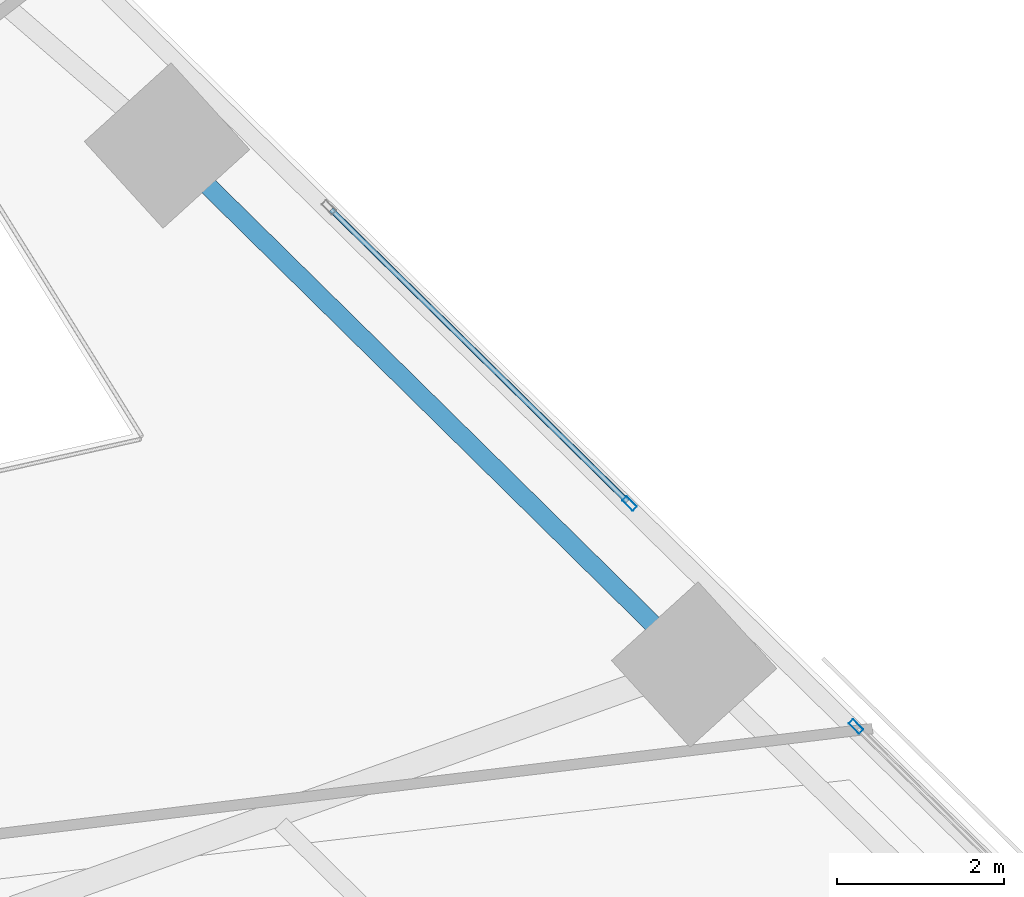
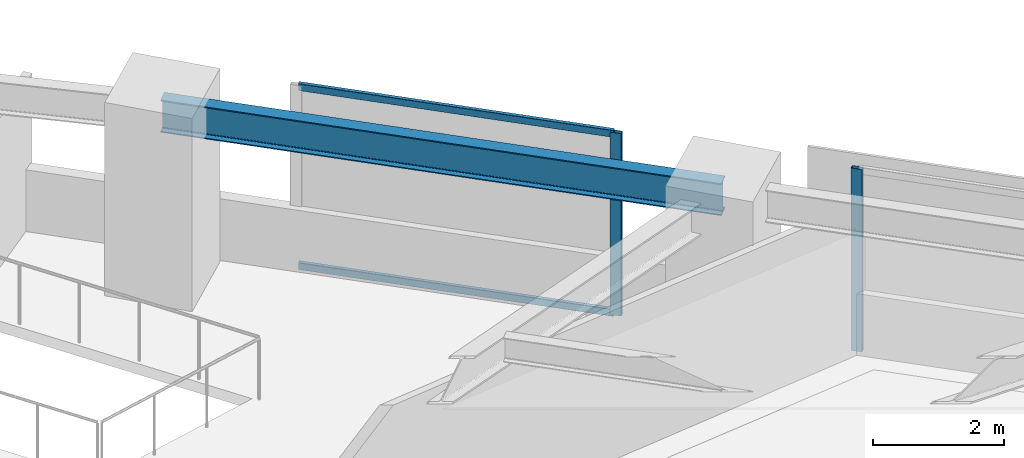
# One storey, part 6 of 17: 4 members, 1 beam, 2 elements without a shape of their own.
"""IFC4 building model written with IfcOpenShell, lengths in metres."""

from ifc_helpers import new_model, si_unit, direction, frame, origin, origin_2d, place, context, subcontext, project, spatial, hollow_rectangle, i_section, extrude, material, material_profile, profile_set, type_object, element, aggregate, save


model = new_model("IFC4")

# Units and contexts
model_context = context("Model", 3, precision=1e-05, world=origin(), true_north=direction((0.0, 1.0)))
body_context = subcontext(model_context, "Body", "Model", "MODEL_VIEW")
ifc_project = project(units=[si_unit("LENGTHUNIT", "METRE"), si_unit("AREAUNIT", "SQUARE_METRE"), si_unit("VOLUMEUNIT", "CUBIC_METRE"), si_unit("PLANEANGLEUNIT", "RADIAN"), si_unit("MASSUNIT", "GRAM", prefix="KILO")], contexts=[model_context])

# Site, building, storey
site_placement = place(None, origin())
site = spatial("IfcSite", under=ifc_project, at=site_placement, CompositionType="ELEMENT")
building_placement = place(site_placement, origin())
building = spatial("IfcBuilding", under=site, at=building_placement, Name="Narakoshi Arena Tower", CompositionType="ELEMENT")
storey_placement = place(building_placement, frame((0.0, 0.0, 30.300048828125)))
storey = spatial("IfcBuildingStorey", under=building, at=storey_placement, Name="L07", CompositionType="ELEMENT", Elevation=30.300048828125)

# Beam
ifc_material_1 = material(Name="Structural steel S355J2", Category="steel")
ifc_material_profile_1 = material_profile(ifc_material_1, i_section(OverallWidth=0.219970703125, OverallDepth=0.60009765625, WebThickness=0.011962890625, FlangeThickness=0.01904296875, FilletRadius=0.02392578125, at=origin_2d()), Name="IPE600")
ifc_profile_set_1 = profile_set([ifc_material_profile_1], Name="Structural steel S355J2")
beam_type = type_object("IfcBeamType", Name="BM-EDGE-600", PredefinedType="BEAM", material=ifc_profile_set_1)
beam_placement = place(storey_placement, frame((102.345458984375, 49.373779296875, 3.099853515625), z_axis=(-0.712540689328, 0.70163079041, 0.0), x_axis=(-0.70163079041, -0.712540689328, 0.0)))
element("IfcBeam", 1, at=beam_placement, inside=storey, type_object=beam_type, Name="L07 Perimeter Edge Girder 07", PredefinedType="BEAM", context=body_context, shape_type="SweptSolid", body=[
    extrude(i_section(OverallWidth=0.219970703125, OverallDepth=0.60009765625, WebThickness=0.011962890625, FlangeThickness=0.01904296875, FilletRadius=0.02392578125, at=origin_2d()), origin(), (0.0, 0.0, 1.0), 8.83935546875),
])

# Curtain wall, member
ifc_material_2 = material(Name="Anodised bronze aluminium 6063-T6", Category="aluminium")
curtain_wall_type = type_object("IfcCurtainWallType", Name="CW-HYP-LOW", PredefinedType="NOTDEFINED", material=ifc_material_2)
curtain_wall_1_placement = place(storey_placement, origin())
curtain_wall_1 = element("IfcCurtainWall", 2, at=curtain_wall_1_placement, inside=storey, type_object=curtain_wall_type, Name="L07 Folded Hypotenuse Curtain Wall 1-3", PredefinedType="NOTDEFINED")
ifc_material_profile_2 = material_profile(ifc_material_2, hollow_rectangle(XDim=0.074951171875, YDim=0.179931640625, WallThickness=0.00390625, OuterFilletRadius=0.0048828125, at=origin_2d()), Name="MUL180x75x4")
ifc_profile_set_2 = profile_set([ifc_material_profile_2], Name="Anodised bronze aluminium 6063-T6")
member_type_1 = type_object("IfcMemberType", Name="MEM-MUL-180", PredefinedType="MULLION", material=ifc_profile_set_2)
member_1_placement = place(storey_placement, frame((104.280517578125, 48.63330078125, 0.0), z_axis=(0.0, 0.0, 1.0), x_axis=(-0.701632802488, -0.712538708053, 0.0)))
member_1 = element("IfcMember", 3, at=member_1_placement, type_object=member_type_1, Name="CW-01 mullion 2", PredefinedType="MULLION", context=body_context, shape_type="SweptSolid", body=[
    extrude(hollow_rectangle(XDim=0.074951171875, YDim=0.179931640625, WallThickness=0.00390625, OuterFilletRadius=0.0048828125, at=origin_2d()), origin(), (0.0, 0.0, 1.0), 3.39990234375),
])
aggregate(curtain_wall_1, [member_1])

# Curtain wall, members
curtain_wall_2_placement = place(storey_placement, origin())
curtain_wall_2 = element("IfcCurtainWall", 4, at=curtain_wall_2_placement, inside=storey, type_object=curtain_wall_type, Name="L07 Folded Hypotenuse Curtain Wall 1-4", PredefinedType="NOTDEFINED")
member_2_placement = place(storey_placement, frame((101.574462890625, 51.2978515625, 0.0), z_axis=(0.0, 0.0, 1.0), x_axis=(-0.701632802488, -0.712538708053, 0.0)))
member_2 = element("IfcMember", 5, at=member_2_placement, type_object=member_type_1, Name="CW-01 mullion 1", PredefinedType="MULLION", context=body_context, shape_type="SweptSolid", body=[
    extrude(hollow_rectangle(XDim=0.074951171875, YDim=0.179931640625, WallThickness=0.00390625, OuterFilletRadius=0.0048828125, at=origin_2d()), origin(), (0.0, 0.0, 1.0), 3.39990234375),
])
ifc_material_profile_3 = material_profile(ifc_material_2, hollow_rectangle(XDim=0.06494140625, YDim=0.1298828125, WallThickness=0.00390625, OuterFilletRadius=0.0048828125, at=origin_2d()), Name="TRN130x65x4")
ifc_profile_set_3 = profile_set([ifc_material_profile_3], Name="Anodised bronze aluminium 6063-T6")
member_type_2 = type_object("IfcMemberType", Name="MEM-TRN-130", PredefinedType="USERDEFINED", material=ifc_profile_set_3)
member_3_placement = place(storey_placement, frame((101.547607421875, 51.32421875, 0.032470703125), z_axis=(-0.712542243067, 0.701629212508, 0.0), x_axis=(-0.701629212508, -0.712542243067, 0.0)))
member_3 = element("IfcMember", 6, at=member_3_placement, type_object=member_type_2, Name="CW-01 transom 1.1", ObjectType="TRANSOM", PredefinedType="USERDEFINED", context=body_context, shape_type="SweptSolid", body=[
    extrude(hollow_rectangle(XDim=0.06494140625, YDim=0.1298828125, WallThickness=0.00390625, OuterFilletRadius=0.0048828125, at=origin_2d()), origin(), (0.0, 0.0, 1.0), 4.966552734375),
])
member_4_placement = place(storey_placement, frame((101.547607421875, 51.32421875, 3.367431640625), z_axis=(-0.712542243067, 0.701629212508, 0.0), x_axis=(-0.701629212508, -0.712542243067, 0.0)))
member_4 = element("IfcMember", 7, at=member_4_placement, type_object=member_type_2, Name="CW-01 transom 1.2", ObjectType="TRANSOM", PredefinedType="USERDEFINED", context=body_context, shape_type="SweptSolid", body=[
    extrude(hollow_rectangle(XDim=0.06494140625, YDim=0.1298828125, WallThickness=0.00390625, OuterFilletRadius=0.0048828125, at=origin_2d()), origin(), (0.0, 0.0, 1.0), 4.966552734375),
])
aggregate(curtain_wall_2, [member_2, member_3, member_4])

save(model, "model.ifc")
